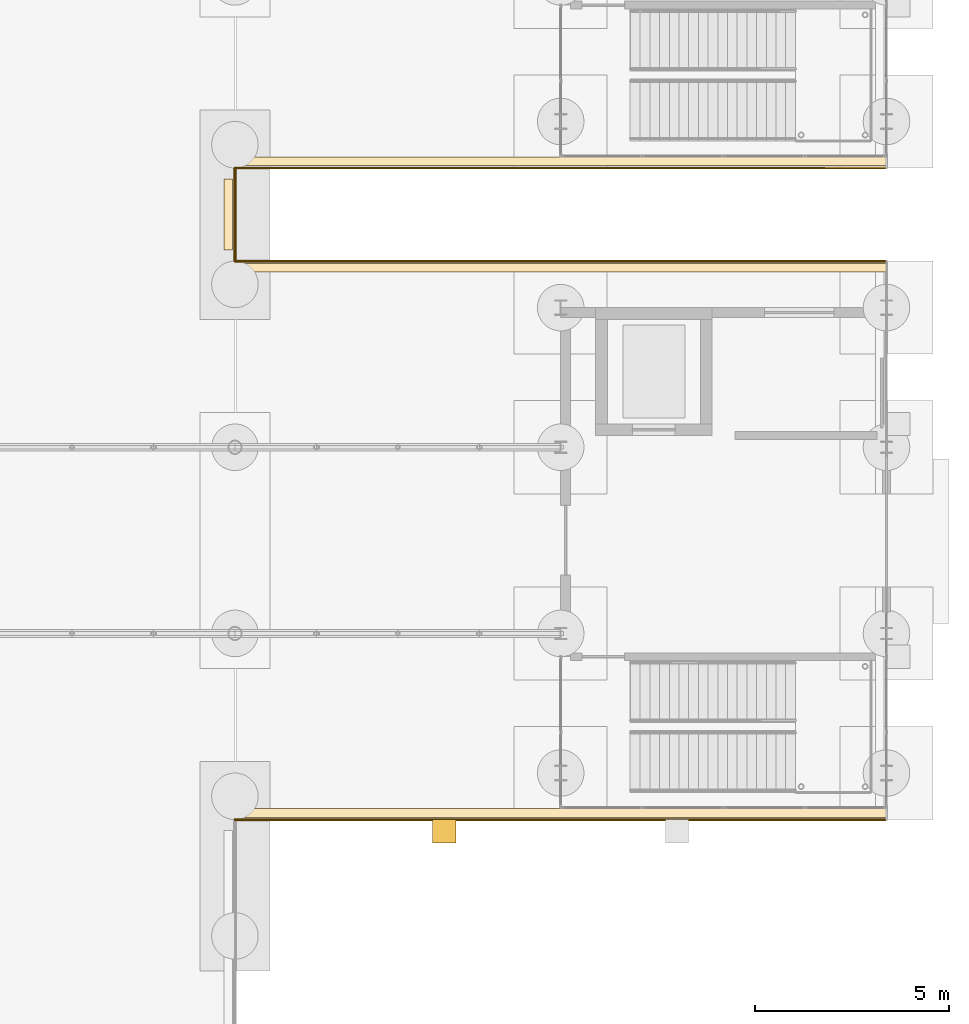
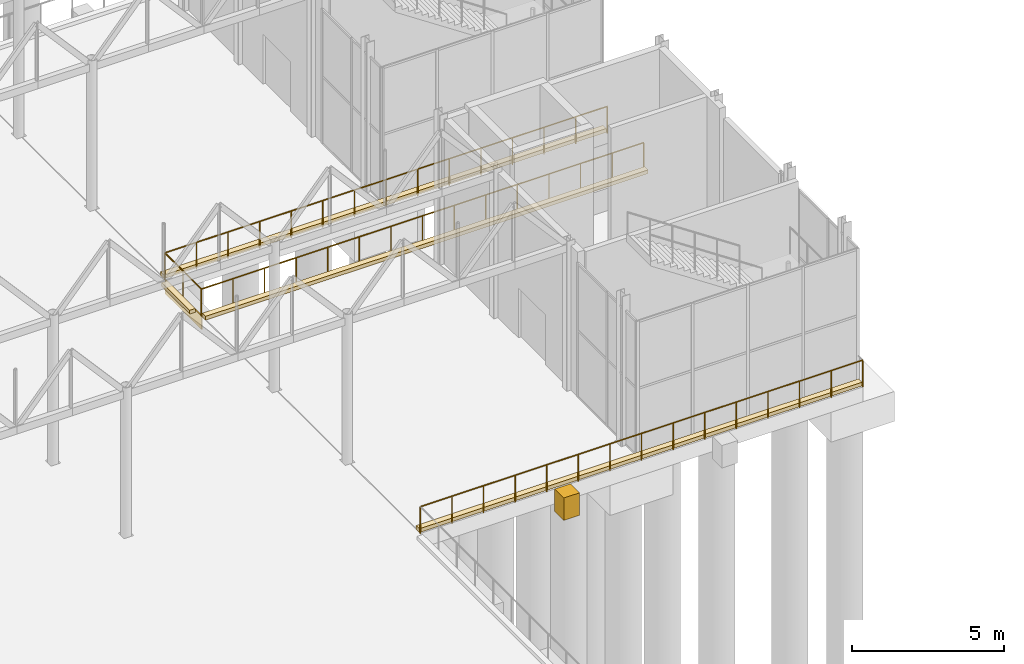
# One storey, part 196 of 212: 6 coverings, 4 railings.
"""IFC4 building model written with IfcOpenShell, lengths in metres."""

from ifc_helpers import new_model, si_unit, direction, frame, origin, origin_2d, place, context, subcontext, project, spatial, rectangle, circle, extrude, material, layer, layer_set, type_object, element, save


model = new_model("IFC4")

# Units and contexts
model_context = context("Model", 3, precision=1e-05, world=origin(), true_north=direction((0.0, 1.0)))
body_context = subcontext(model_context, "Body", "Model", "MODEL_VIEW")
ifc_project = project(units=[si_unit("LENGTHUNIT", "METRE"), si_unit("AREAUNIT", "SQUARE_METRE"), si_unit("VOLUMEUNIT", "CUBIC_METRE"), si_unit("PLANEANGLEUNIT", "RADIAN"), si_unit("MASSUNIT", "GRAM", prefix="KILO")], contexts=[model_context])

# Site, building, storey
site_placement = place(None, origin())
site = spatial("IfcSite", under=ifc_project, at=site_placement, CompositionType="ELEMENT")
building_placement = place(site_placement, origin())
building = spatial("IfcBuilding", under=site, at=building_placement, Name="Catenary Quay Ferry Terminal", CompositionType="ELEMENT")
storey_placement = place(building_placement, origin())
storey = spatial("IfcBuildingStorey", under=building, at=storey_placement, Name="L00", CompositionType="ELEMENT", Elevation=0.0)

# Covering
ifc_material_1 = material(Name="Rubber, EPDM 70 Shore A")
ifc_layer_1 = layer(ifc_material_1, 0.60009765625)
ifc_layer_set_1 = layer_set([ifc_layer_1], Name="FD1")
covering_type_1 = type_object("IfcCoveringType", Name="FD1", PredefinedType="CLADDING", material=ifc_layer_set_1)
covering_1_placement = place(storey_placement, frame((123.0, 68.10009765625, -0.89990234375), z_axis=(0.0, 0.0, 1.0), x_axis=(1.0, 0.0, 0.0)))
element("IfcCovering", 1, at=covering_1_placement, inside=storey, type_object=covering_type_1, Name="Rubber cell fender", PredefinedType="CLADDING", context=body_context, shape_type="SweptSolid", body=[
    extrude(rectangle(XDim=0.60009765625, YDim=0.60009765625, at=origin_2d()), origin(), (0.0, 0.0, 1.0), 0.89990234375),
])

# Railings
ifc_material_2 = material(Name="Galvanised steel", Category="steel")
railing_type = type_object("IfcRailingType", Name="GQ1", PredefinedType="GUARDRAIL", material=ifc_material_2)
railing_1_placement = place(storey_placement, frame((117.60009765625, 82.800048828125, 0.0)))
element("IfcRailing", 2, at=railing_1_placement, inside=storey, type_object=railing_type, Name="RIVER EDGE OF THE QUAY DECK", PredefinedType="GUARDRAIL", context=body_context, shape_type="SweptSolid", body=[
    extrude(circle(Radius=0.02392578125, at=origin_2d()), frame((0.0, 0.0, 1.076171875), z_axis=(0.0, 1.0, 0.0), x_axis=(-1.0, 0.0, 0.0)), (0.0, 0.0, 1.0), 2.39990234375),
    extrude(circle(Radius=0.02099609375, at=origin_2d()), origin(), (0.0, 0.0, 1.0), 1.052001953125),
    extrude(circle(Radius=0.02099609375, at=origin_2d()), frame((0.0, 1.199951171875, 0.0)), (0.0, 0.0, 1.0), 1.052001953125),
    extrude(circle(Radius=0.02099609375, at=origin_2d()), frame((0.0, 2.39990234375, 0.0)), (0.0, 0.0, 1.0), 1.052001953125),
])
railing_2_placement = place(storey_placement, frame((117.60009765625, 82.800048828125, 0.0)))
element("IfcRailing", 3, at=railing_2_placement, inside=storey, type_object=railing_type, Name="NORTH EDGE OF BH1", PredefinedType="GUARDRAIL", context=body_context, shape_type="SweptSolid", body=[
    extrude(circle(Radius=0.02392578125, at=origin_2d()), frame((0.0, 0.0, 1.076171875), z_axis=(1.0, 0.0, 0.0), x_axis=(0.0, 1.0, 0.0)), (0.0, 0.0, 1.0), 16.7998046875),
    extrude(circle(Radius=0.02099609375, at=origin_2d()), origin(), (0.0, 0.0, 1.0), 1.052001953125),
    extrude(circle(Radius=0.02099609375, at=origin_2d()), frame((1.199951171875, 0.0, 0.0)), (0.0, 0.0, 1.0), 1.052001953125),
    extrude(circle(Radius=0.02099609375, at=origin_2d()), frame((2.39990234375, 0.0, 0.0)), (0.0, 0.0, 1.0), 1.052001953125),
    extrude(circle(Radius=0.02099609375, at=origin_2d()), frame((3.599853515625, 0.0, 0.0)), (0.0, 0.0, 1.0), 1.052001953125),
    extrude(circle(Radius=0.02099609375, at=origin_2d()), frame((4.800048828125, 0.0, 0.0)), (0.0, 0.0, 1.0), 1.052001953125),
    extrude(circle(Radius=0.02099609375, at=origin_2d()), frame((6.0, 0.0, 0.0)), (0.0, 0.0, 1.0), 1.052001953125),
    extrude(circle(Radius=0.02099609375, at=origin_2d()), frame((7.199951171875, 0.0, 0.0)), (0.0, 0.0, 1.0), 1.052001953125),
    extrude(circle(Radius=0.02099609375, at=origin_2d()), frame((8.39990234375, 0.0, 0.0)), (0.0, 0.0, 1.0), 1.052001953125),
    extrude(circle(Radius=0.02099609375, at=origin_2d()), frame((9.599853515625, 0.0, 0.0)), (0.0, 0.0, 1.0), 1.052001953125),
    extrude(circle(Radius=0.02099609375, at=origin_2d()), frame((10.7998046875, 0.0, 0.0)), (0.0, 0.0, 1.0), 1.052001953125),
    extrude(circle(Radius=0.02099609375, at=origin_2d()), frame((11.999755859375, 0.0, 0.0)), (0.0, 0.0, 1.0), 1.052001953125),
    extrude(circle(Radius=0.02099609375, at=origin_2d()), frame((13.199951171875, 0.0, 0.0)), (0.0, 0.0, 1.0), 1.052001953125),
    extrude(circle(Radius=0.02099609375, at=origin_2d()), frame((14.39990234375, 0.0, 0.0)), (0.0, 0.0, 1.0), 1.052001953125),
    extrude(circle(Radius=0.02099609375, at=origin_2d()), frame((15.599853515625, 0.0, 0.0)), (0.0, 0.0, 1.0), 1.052001953125),
    extrude(circle(Radius=0.02099609375, at=origin_2d()), frame((16.7998046875, 0.0, 0.0)), (0.0, 0.0, 1.0), 1.052001953125),
])
railing_3_placement = place(storey_placement, frame((117.60009765625, 68.39990234375, 0.0)))
element("IfcRailing", 4, at=railing_3_placement, inside=storey, type_object=railing_type, Name="SOUTH EDGE OF BH1", PredefinedType="GUARDRAIL", context=body_context, shape_type="SweptSolid", body=[
    extrude(circle(Radius=0.02392578125, at=origin_2d()), frame((0.0, 0.0, 1.076171875), z_axis=(1.0, 0.0, 0.0), x_axis=(0.0, 1.0, 0.0)), (0.0, 0.0, 1.0), 16.7998046875),
    extrude(circle(Radius=0.02099609375, at=origin_2d()), origin(), (0.0, 0.0, 1.0), 1.052001953125),
    extrude(circle(Radius=0.02099609375, at=origin_2d()), frame((1.199951171875, 0.0, 0.0)), (0.0, 0.0, 1.0), 1.052001953125),
    extrude(circle(Radius=0.02099609375, at=origin_2d()), frame((2.39990234375, 0.0, 0.0)), (0.0, 0.0, 1.0), 1.052001953125),
    extrude(circle(Radius=0.02099609375, at=origin_2d()), frame((3.599853515625, 0.0, 0.0)), (0.0, 0.0, 1.0), 1.052001953125),
    extrude(circle(Radius=0.02099609375, at=origin_2d()), frame((4.800048828125, 0.0, 0.0)), (0.0, 0.0, 1.0), 1.052001953125),
    extrude(circle(Radius=0.02099609375, at=origin_2d()), frame((6.0, 0.0, 0.0)), (0.0, 0.0, 1.0), 1.052001953125),
    extrude(circle(Radius=0.02099609375, at=origin_2d()), frame((7.199951171875, 0.0, 0.0)), (0.0, 0.0, 1.0), 1.052001953125),
    extrude(circle(Radius=0.02099609375, at=origin_2d()), frame((8.39990234375, 0.0, 0.0)), (0.0, 0.0, 1.0), 1.052001953125),
    extrude(circle(Radius=0.02099609375, at=origin_2d()), frame((9.599853515625, 0.0, 0.0)), (0.0, 0.0, 1.0), 1.052001953125),
    extrude(circle(Radius=0.02099609375, at=origin_2d()), frame((10.7998046875, 0.0, 0.0)), (0.0, 0.0, 1.0), 1.052001953125),
    extrude(circle(Radius=0.02099609375, at=origin_2d()), frame((11.999755859375, 0.0, 0.0)), (0.0, 0.0, 1.0), 1.052001953125),
    extrude(circle(Radius=0.02099609375, at=origin_2d()), frame((13.199951171875, 0.0, 0.0)), (0.0, 0.0, 1.0), 1.052001953125),
    extrude(circle(Radius=0.02099609375, at=origin_2d()), frame((14.39990234375, 0.0, 0.0)), (0.0, 0.0, 1.0), 1.052001953125),
    extrude(circle(Radius=0.02099609375, at=origin_2d()), frame((15.599853515625, 0.0, 0.0)), (0.0, 0.0, 1.0), 1.052001953125),
    extrude(circle(Radius=0.02099609375, at=origin_2d()), frame((16.7998046875, 0.0, 0.0)), (0.0, 0.0, 1.0), 1.052001953125),
])
railing_4_placement = place(storey_placement, frame((117.60009765625, 85.199951171875, 0.0)))
element("IfcRailing", 5, at=railing_4_placement, inside=storey, type_object=railing_type, Name="SOUTH EDGE OF BH2", PredefinedType="GUARDRAIL", context=body_context, shape_type="SweptSolid", body=[
    extrude(circle(Radius=0.02392578125, at=origin_2d()), frame((0.0, 0.0, 1.076171875), z_axis=(1.0, 0.0, 0.0), x_axis=(0.0, 1.0, 0.0)), (0.0, 0.0, 1.0), 16.7998046875),
    extrude(circle(Radius=0.02099609375, at=origin_2d()), origin(), (0.0, 0.0, 1.0), 1.052001953125),
    extrude(circle(Radius=0.02099609375, at=origin_2d()), frame((1.199951171875, 0.0, 0.0)), (0.0, 0.0, 1.0), 1.052001953125),
    extrude(circle(Radius=0.02099609375, at=origin_2d()), frame((2.39990234375, 0.0, 0.0)), (0.0, 0.0, 1.0), 1.052001953125),
    extrude(circle(Radius=0.02099609375, at=origin_2d()), frame((3.599853515625, 0.0, 0.0)), (0.0, 0.0, 1.0), 1.052001953125),
    extrude(circle(Radius=0.02099609375, at=origin_2d()), frame((4.800048828125, 0.0, 0.0)), (0.0, 0.0, 1.0), 1.052001953125),
    extrude(circle(Radius=0.02099609375, at=origin_2d()), frame((6.0, 0.0, 0.0)), (0.0, 0.0, 1.0), 1.052001953125),
    extrude(circle(Radius=0.02099609375, at=origin_2d()), frame((7.199951171875, 0.0, 0.0)), (0.0, 0.0, 1.0), 1.052001953125),
    extrude(circle(Radius=0.02099609375, at=origin_2d()), frame((8.39990234375, 0.0, 0.0)), (0.0, 0.0, 1.0), 1.052001953125),
    extrude(circle(Radius=0.02099609375, at=origin_2d()), frame((9.599853515625, 0.0, 0.0)), (0.0, 0.0, 1.0), 1.052001953125),
    extrude(circle(Radius=0.02099609375, at=origin_2d()), frame((10.7998046875, 0.0, 0.0)), (0.0, 0.0, 1.0), 1.052001953125),
    extrude(circle(Radius=0.02099609375, at=origin_2d()), frame((11.999755859375, 0.0, 0.0)), (0.0, 0.0, 1.0), 1.052001953125),
    extrude(circle(Radius=0.02099609375, at=origin_2d()), frame((13.199951171875, 0.0, 0.0)), (0.0, 0.0, 1.0), 1.052001953125),
    extrude(circle(Radius=0.02099609375, at=origin_2d()), frame((14.39990234375, 0.0, 0.0)), (0.0, 0.0, 1.0), 1.052001953125),
    extrude(circle(Radius=0.02099609375, at=origin_2d()), frame((15.599853515625, 0.0, 0.0)), (0.0, 0.0, 1.0), 1.052001953125),
    extrude(circle(Radius=0.02099609375, at=origin_2d()), frame((16.7998046875, 0.0, 0.0)), (0.0, 0.0, 1.0), 1.052001953125),
])

# Coverings
ifc_material_3 = material(Name="Precast concrete C35/45", Category="concrete")
ifc_layer_2 = layer(ifc_material_3, 0.14990234375)
ifc_layer_set_2 = layer_set([ifc_layer_2], Name="KB1")
covering_type_2 = type_object("IfcCoveringType", Name="KB1", PredefinedType="FLOORING", material=ifc_layer_set_2)
covering_2_placement = place(storey_placement, frame((117.429931640625, 84.0, 0.0), z_axis=(0.0, 0.0, 1.0), x_axis=(1.0, 0.0, 0.0)))
element("IfcCovering", 6, at=covering_2_placement, inside=storey, type_object=covering_type_2, Name="Edge kerb upstand", PredefinedType="FLOORING", context=body_context, shape_type="SweptSolid", body=[
    extrude(rectangle(XDim=0.219970703125, YDim=1.840087890625, at=origin_2d()), origin(), (0.0, 0.0, 1.0), 0.14990234375),
])
for number, where, z_axis, x_axis, name in (
    (7, (126.0, 82.6298828125, 0.0), (0.0, 0.0, 1.0), (1.0, 0.0, 0.0), "Edge kerb upstand"),
    (8, (126.0, 68.570068359375, 0.0), (0.0, 0.0, 1.0), (1.0, 0.0, 0.0), "Edge kerb upstand"),
    (9, (126.0, 85.3701171875, 0.0), (0.0, 0.0, 1.0), (1.0, 0.0, 0.0), "Edge kerb upstand"),
):
    element("IfcCovering", number, at=place(storey_placement, frame(where, z_axis=z_axis, x_axis=x_axis)), inside=storey, type_object=covering_type_2, Name=name, PredefinedType="FLOORING", context=body_context, shape_type="SweptSolid", body=[
        extrude(rectangle(XDim=16.800048828125, YDim=0.219970703125, at=origin_2d()), origin(), (0.0, 0.0, 1.0), 0.14990234375),
    ])
ifc_material_4 = material(Name="Precast concrete C35/45", Category="concrete")
ifc_layer_3 = layer(ifc_material_4, 0.0400390625)
ifc_layer_set_3 = layer_set([ifc_layer_3], Name="QF1")
covering_type_3 = type_object("IfcCoveringType", Name="QF1", PredefinedType="CLADDING", material=ifc_layer_set_3)
covering_3_placement = place(storey_placement, frame((117.6201171875, 84.0, -0.5498046875), z_axis=(0.0, 0.0, 1.0), x_axis=(1.0, 0.0, 0.0)))
element("IfcCovering", 10, at=covering_3_placement, inside=storey, type_object=covering_type_3, Name="Precast fascia, quay deck edge", PredefinedType="CLADDING", context=body_context, shape_type="SweptSolid", body=[
    extrude(rectangle(XDim=0.0400390625, YDim=2.39990234375, at=origin_2d()), origin(), (0.0, 0.0, 1.0), 0.550048828125),
])

save(model, "model.ifc")
